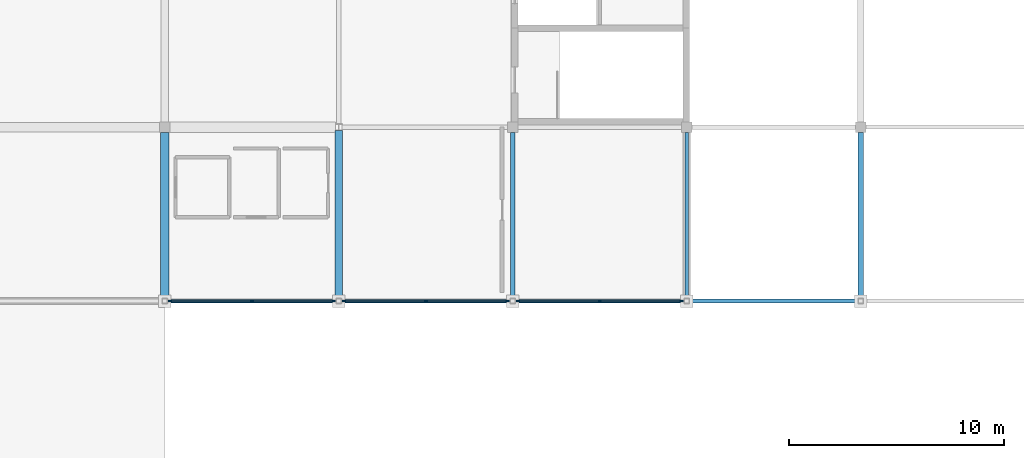
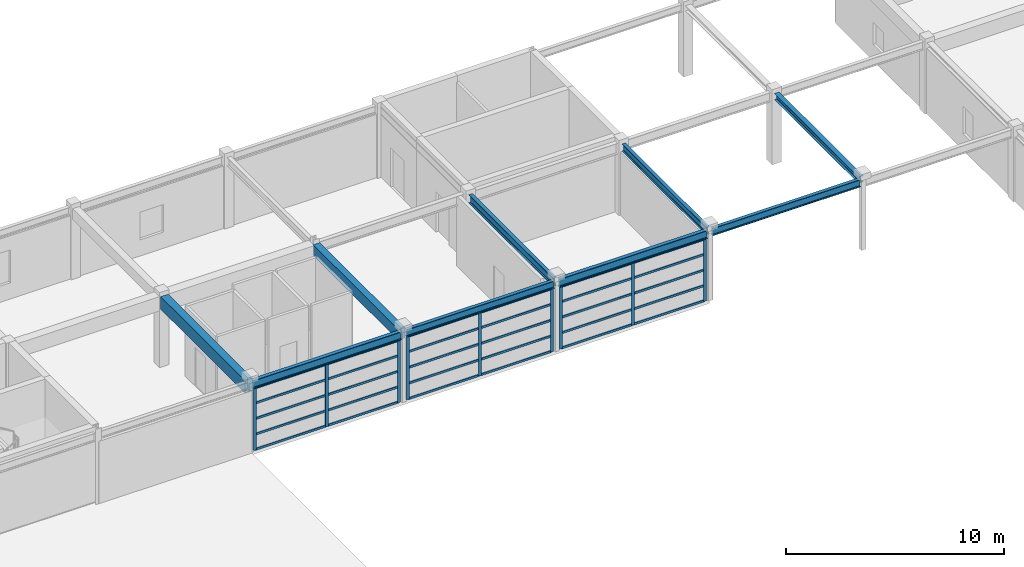
# One storey, part 11 of 26: 39 members, 9 beams, 3 elements without a shape of their own.
"""IFC4 building model written with IfcOpenShell, lengths in metres."""

from ifc_helpers import new_model, si_unit, direction, frame, origin, origin_2d, place, context, subcontext, project, spatial, rectangle, i_section, extrude, material, material_profile, profile_set, type_object, element, aggregate, save


model = new_model("IFC4")

# Units and contexts
model_context = context("Model", 3, precision=1e-05, world=origin(), true_north=direction((0.0, 1.0)))
body_context = subcontext(model_context, "Body", "Model", "MODEL_VIEW")
ifc_project = project(units=[si_unit("LENGTHUNIT", "METRE"), si_unit("AREAUNIT", "SQUARE_METRE"), si_unit("VOLUMEUNIT", "CUBIC_METRE"), si_unit("PLANEANGLEUNIT", "RADIAN"), si_unit("MASSUNIT", "GRAM", prefix="KILO")], contexts=[model_context])

# Site, building, storey
site_placement = place(None, origin())
site = spatial("IfcSite", under=ifc_project, at=site_placement, CompositionType="ELEMENT")
building_placement = place(site_placement, origin())
building = spatial("IfcBuilding", under=site, at=building_placement, Name="Parian Resonance Hall", CompositionType="ELEMENT")
storey_placement = place(building_placement, frame((0.0, 0.0, 19.199951171875)))
storey = spatial("IfcBuildingStorey", under=building, at=storey_placement, Name="L04", CompositionType="ELEMENT", Elevation=19.199951171875)

# Beams
ifc_material_1 = material(Name="Concrete C40/50", Category="concrete")
ifc_material_profile_1 = material_profile(ifc_material_1, rectangle(XDim=0.35009765625, YDim=0.60009765625, at=origin_2d()), Name="RC-BM-350x600")
ifc_profile_set_1 = profile_set([ifc_material_profile_1], Name="Concrete C40/50")
beam_type_1 = type_object("IfcBeamType", Name="BM-RC350x600", PredefinedType="BEAM", material=ifc_profile_set_1)
beam_1_placement = place(storey_placement, frame((81.0, 73.02490234375, 3.66015625), z_axis=(0.0, 1.0, 0.0), x_axis=(-1.0, 0.0, 0.0)))
element("IfcBeam", 1, at=beam_1_placement, inside=storey, type_object=beam_type_1, Name="GY-L04-0980", PredefinedType="BEAM", context=body_context, shape_type="SweptSolid", body=[
    extrude(rectangle(XDim=0.35009765625, YDim=0.60009765625, at=origin_2d()), origin(), (0.0, 0.0, 1.0), 7.821044921875),
])
ifc_material_2 = material(Name="Concrete C40/50", Category="concrete")
ifc_material_profile_2 = material_profile(ifc_material_2, rectangle(XDim=0.39990234375, YDim=0.699951171875, at=origin_2d()), Name="RC-BM-400x700")
ifc_profile_set_2 = profile_set([ifc_material_profile_2], Name="Concrete C40/50")
beam_type_2 = type_object("IfcBeamType", Name="BM-RC400x700", PredefinedType="BEAM", material=ifc_profile_set_2)
beam_2_placement = place(storey_placement, frame((72.89990234375, 73.02490234375, 3.610107421875), z_axis=(0.0, 1.0, 0.0), x_axis=(-1.0, 0.0, 0.0)))
element("IfcBeam", 2, at=beam_2_placement, inside=storey, type_object=beam_type_2, Name="GY-L04-0978", PredefinedType="BEAM", context=body_context, shape_type="SweptSolid", body=[
    extrude(rectangle(XDim=0.39990234375, YDim=0.699951171875, at=origin_2d()), origin(), (0.0, 0.0, 1.0), 7.72509765625),
])
ifc_material_3 = material(Name="Steel S355", Category="steel")
ifc_material_profile_3 = material_profile(ifc_material_3, i_section(OverallWidth=0.2548828125, OverallDepth=0.35693359375, WebThickness=0.010498046875, FlangeThickness=0.018310546875, FilletRadius=0.01513671875, at=origin_2d()), Name="W360x101")
ifc_profile_set_3 = profile_set([ifc_material_profile_3], Name="Steel S355")
beam_type_3 = type_object("IfcBeamType", Name="BM-W360x101", PredefinedType="SPANDREL", material=ifc_profile_set_3)
beam_3_placement = place(storey_placement, frame((105.300048828125, 73.02490234375, 3.781494140625), z_axis=(0.0, 1.0, 0.0), x_axis=(-1.0, 0.0, 0.0)))
element("IfcBeam", 3, at=beam_3_placement, inside=storey, type_object=beam_type_3, Name="GY-L04-0986", PredefinedType="SPANDREL", context=body_context, shape_type="SweptSolid", body=[
    extrude(i_section(OverallWidth=0.2548828125, OverallDepth=0.35693359375, WebThickness=0.010498046875, FlangeThickness=0.018310546875, FilletRadius=0.01513671875, at=origin_2d()), origin(), (0.0, 0.0, 1.0), 7.72509765625),
])
ifc_material_4 = material(Name="Steel S355", Category="steel")
ifc_material_profile_4 = material_profile(ifc_material_4, i_section(OverallWidth=0.180908203125, OverallDepth=0.4169921875, WebThickness=0.010986328125, FlangeThickness=0.018310546875, FilletRadius=0.01513671875, at=origin_2d()), Name="W410x85")
ifc_profile_set_4 = profile_set([ifc_material_profile_4], Name="Steel S355")
beam_type_4 = type_object("IfcBeamType", Name="BM-W410x85", PredefinedType="SPANDREL", material=ifc_profile_set_4)
for number, where, z_axis, x_axis, name in (
    (4, (81.125, 72.89990234375, 3.75146484375), (1.0, 0.0, 0.0), (0.0, 1.0, 0.0), "GX-L04-0932"),
    (5, (97.324951171875, 72.89990234375, 3.75146484375), (1.0, 0.0, 0.0), (0.0, 1.0, 0.0), "GX-L04-0938"),
):
    element("IfcBeam", number, at=place(storey_placement, frame(where, z_axis=z_axis, x_axis=x_axis)), inside=storey, type_object=beam_type_4, Name=name, PredefinedType="SPANDREL", context=body_context, shape_type="SweptSolid", body=[
        extrude(i_section(OverallWidth=0.180908203125, OverallDepth=0.4169921875, WebThickness=0.010986328125, FlangeThickness=0.018310546875, FilletRadius=0.01513671875, at=origin_2d()), origin(), (0.0, 0.0, 1.0), 7.85009765625),
    ])
beam_4_placement = place(storey_placement, frame((97.199951171875, 73.02490234375, 3.75146484375), z_axis=(0.0, 1.0, 0.0), x_axis=(-1.0, 0.0, 0.0)))
element("IfcBeam", 6, at=beam_4_placement, inside=storey, type_object=beam_type_4, Name="GY-L04-0984", PredefinedType="SPANDREL", context=body_context, shape_type="SweptSolid", body=[
    extrude(i_section(OverallWidth=0.180908203125, OverallDepth=0.4169921875, WebThickness=0.010986328125, FlangeThickness=0.018310546875, FilletRadius=0.01513671875, at=origin_2d()), origin(), (0.0, 0.0, 1.0), 7.72509765625),
])
ifc_material_5 = material(Name="Steel S355", Category="steel")
ifc_material_profile_5 = material_profile(ifc_material_5, i_section(OverallWidth=0.194091796875, OverallDepth=0.468994140625, WebThickness=0.0126953125, FlangeThickness=0.0205078125, FilletRadius=0.01513671875, at=origin_2d()), Name="W460x106")
ifc_profile_set_5 = profile_set([ifc_material_profile_5], Name="Steel S355")
beam_type_5 = type_object("IfcBeamType", Name="BM-W460x106", PredefinedType="SPANDREL", material=ifc_profile_set_5)
beam_5_placement = place(storey_placement, frame((73.02490234375, 72.89990234375, 3.7255859375), z_axis=(1.0, 0.0, 0.0), x_axis=(0.0, 1.0, 0.0)))
element("IfcBeam", 7, at=beam_5_placement, inside=storey, type_object=beam_type_5, Name="GX-L04-0929", PredefinedType="SPANDREL", context=body_context, shape_type="SweptSolid", body=[
    extrude(i_section(OverallWidth=0.194091796875, OverallDepth=0.468994140625, WebThickness=0.0126953125, FlangeThickness=0.0205078125, FilletRadius=0.01513671875, at=origin_2d()), origin(), (0.0, 0.0, 1.0), 7.85009765625),
])
beam_6_placement = place(storey_placement, frame((89.22509765625, 72.89990234375, 3.7255859375), z_axis=(1.0, 0.0, 0.0), x_axis=(0.0, 1.0, 0.0)))
element("IfcBeam", 8, at=beam_6_placement, inside=storey, type_object=beam_type_5, Name="GX-L04-0935", PredefinedType="SPANDREL", context=body_context, shape_type="SweptSolid", body=[
    extrude(i_section(OverallWidth=0.194091796875, OverallDepth=0.468994140625, WebThickness=0.0126953125, FlangeThickness=0.0205078125, FilletRadius=0.01513671875, at=origin_2d()), origin(), (0.0, 0.0, 1.0), 7.849853515625),
])
beam_7_placement = place(storey_placement, frame((89.10009765625, 73.02490234375, 3.7255859375), z_axis=(0.0, 1.0, 0.0), x_axis=(-1.0, 0.0, 0.0)))
element("IfcBeam", 9, at=beam_7_placement, inside=storey, type_object=beam_type_5, Name="GY-L04-0982", PredefinedType="SPANDREL", context=body_context, shape_type="SweptSolid", body=[
    extrude(i_section(OverallWidth=0.194091796875, OverallDepth=0.468994140625, WebThickness=0.0126953125, FlangeThickness=0.0205078125, FilletRadius=0.01513671875, at=origin_2d()), origin(), (0.0, 0.0, 1.0), 7.72509765625),
])

# Curtain wall, members
ifc_material_6 = material(Name="Bronze-anodised aluminium frame", Category="aluminium")
curtain_wall_type_1 = type_object("IfcCurtainWallType", Name="CW-SYS-01", PredefinedType="NOTDEFINED", material=ifc_material_6)
curtain_wall_1_placement = place(storey_placement, origin())
curtain_wall_1 = element("IfcCurtainWall", 10, at=curtain_wall_1_placement, inside=storey, type_object=curtain_wall_type_1, Name="Curtain wall CW-L04-109", PredefinedType="NOTDEFINED")
ifc_material_7 = material(Name="Bronze-anodised aluminium frame", Category="aluminium")
ifc_material_profile_6 = material_profile(ifc_material_7, rectangle(XDim=0.06494140625, YDim=0.159912109375, at=origin_2d()), Name="CWM-65x160")
ifc_profile_set_6 = profile_set([ifc_material_profile_6], Name="Bronze-anodised aluminium frame")
member_type_1 = type_object("IfcMemberType", Name="CWM-65x160", PredefinedType="MULLION", material=ifc_profile_set_6)
member_1_placement = place(storey_placement, frame((80.762451171875, 72.89990234375, -0.008056640625), z_axis=(0.0, 0.0, 1.0), x_axis=(0.0, -1.0, 0.0)))
member_1 = element("IfcMember", 11, at=member_1_placement, type_object=member_type_1, Name="CW-01 mullion 1", PredefinedType="MULLION", context=body_context, shape_type="SweptSolid", body=[
    extrude(rectangle(XDim=0.06494140625, YDim=0.159912109375, at=origin_2d()), origin(), (0.0, 0.0, 1.0), 3.503173828125),
])
member_2_placement = place(storey_placement, frame((76.949951171875, 72.89990234375, -0.008056640625), z_axis=(0.0, 0.0, 1.0), x_axis=(0.0, -1.0, 0.0)))
member_2 = element("IfcMember", 12, at=member_2_placement, type_object=member_type_1, Name="CW-01 mullion 2", PredefinedType="MULLION", context=body_context, shape_type="SweptSolid", body=[
    extrude(rectangle(XDim=0.06494140625, YDim=0.159912109375, at=origin_2d()), origin(), (0.0, 0.0, 1.0), 3.503173828125),
])
member_3_placement = place(storey_placement, frame((73.137451171875, 72.89990234375, -0.008056640625), z_axis=(0.0, 0.0, 1.0), x_axis=(0.0, -1.0, 0.0)))
member_3 = element("IfcMember", 13, at=member_3_placement, type_object=member_type_1, Name="CW-01 mullion 3", PredefinedType="MULLION", context=body_context, shape_type="SweptSolid", body=[
    extrude(rectangle(XDim=0.06494140625, YDim=0.159912109375, at=origin_2d()), origin(), (0.0, 0.0, 1.0), 3.503173828125),
])

ifc_material_8 = material(Name="Bronze-anodised aluminium frame", Category="aluminium")
curtain_wall_type_2 = type_object("IfcCurtainWallType", Name="CW-SYS-02", PredefinedType="NOTDEFINED", material=ifc_material_8)
curtain_wall_2_placement = place(storey_placement, origin())
curtain_wall_2 = element("IfcCurtainWall", 14, at=curtain_wall_2_placement, inside=storey, type_object=curtain_wall_type_2, Name="Curtain wall CW-L04-115", PredefinedType="NOTDEFINED")
member_4_placement = place(storey_placement, frame((88.862548828125, 72.89990234375, -0.008056640625), z_axis=(0.0, 0.0, 1.0), x_axis=(0.0, -1.0, 0.0)))
member_4 = element("IfcMember", 15, at=member_4_placement, type_object=member_type_1, Name="CW-02 mullion 1", PredefinedType="MULLION", context=body_context, shape_type="SweptSolid", body=[
    extrude(rectangle(XDim=0.06494140625, YDim=0.159912109375, at=origin_2d()), origin(), (0.0, 0.0, 1.0), 3.55517578125),
])
member_5_placement = place(storey_placement, frame((85.050048828125, 72.89990234375, -0.008056640625), z_axis=(0.0, 0.0, 1.0), x_axis=(0.0, -1.0, 0.0)))
member_5 = element("IfcMember", 16, at=member_5_placement, type_object=member_type_1, Name="CW-02 mullion 2", PredefinedType="MULLION", context=body_context, shape_type="SweptSolid", body=[
    extrude(rectangle(XDim=0.06494140625, YDim=0.159912109375, at=origin_2d()), origin(), (0.0, 0.0, 1.0), 3.55517578125),
])
member_6_placement = place(storey_placement, frame((81.237548828125, 72.89990234375, -0.008056640625), z_axis=(0.0, 0.0, 1.0), x_axis=(0.0, -1.0, 0.0)))
member_6 = element("IfcMember", 17, at=member_6_placement, type_object=member_type_1, Name="CW-02 mullion 3", PredefinedType="MULLION", context=body_context, shape_type="SweptSolid", body=[
    extrude(rectangle(XDim=0.06494140625, YDim=0.159912109375, at=origin_2d()), origin(), (0.0, 0.0, 1.0), 3.55517578125),
])

ifc_material_9 = material(Name="Bronze-anodised aluminium frame", Category="aluminium")
curtain_wall_type_3 = type_object("IfcCurtainWallType", Name="CW-SYS-03", PredefinedType="NOTDEFINED", material=ifc_material_9)
curtain_wall_3_placement = place(storey_placement, origin())
curtain_wall_3 = element("IfcCurtainWall", 18, at=curtain_wall_3_placement, inside=storey, type_object=curtain_wall_type_3, Name="Curtain wall CW-L04-121", PredefinedType="NOTDEFINED")
member_7_placement = place(storey_placement, frame((96.96240234375, 72.89990234375, -0.008056640625), z_axis=(0.0, 0.0, 1.0), x_axis=(0.0, -1.0, 0.0)))
member_7 = element("IfcMember", 19, at=member_7_placement, type_object=member_type_1, Name="CW-03 mullion 1", PredefinedType="MULLION", context=body_context, shape_type="SweptSolid", body=[
    extrude(rectangle(XDim=0.06494140625, YDim=0.159912109375, at=origin_2d()), origin(), (0.0, 0.0, 1.0), 3.503173828125),
])
member_8_placement = place(storey_placement, frame((93.14990234375, 72.89990234375, -0.008056640625), z_axis=(0.0, 0.0, 1.0), x_axis=(0.0, -1.0, 0.0)))
member_8 = element("IfcMember", 20, at=member_8_placement, type_object=member_type_1, Name="CW-03 mullion 2", PredefinedType="MULLION", context=body_context, shape_type="SweptSolid", body=[
    extrude(rectangle(XDim=0.06494140625, YDim=0.159912109375, at=origin_2d()), origin(), (0.0, 0.0, 1.0), 3.503173828125),
])
member_9_placement = place(storey_placement, frame((89.33740234375, 72.89990234375, -0.008056640625), z_axis=(0.0, 0.0, 1.0), x_axis=(0.0, -1.0, 0.0)))
member_9 = element("IfcMember", 21, at=member_9_placement, type_object=member_type_1, Name="CW-03 mullion 3", PredefinedType="MULLION", context=body_context, shape_type="SweptSolid", body=[
    extrude(rectangle(XDim=0.06494140625, YDim=0.159912109375, at=origin_2d()), origin(), (0.0, 0.0, 1.0), 3.503173828125),
])

# Member
ifc_material_10 = material(Name="Bronze-anodised aluminium frame", Category="aluminium")
ifc_material_profile_7 = material_profile(ifc_material_10, rectangle(XDim=0.06494140625, YDim=0.1201171875, at=origin_2d()), Name="CWT-65x120")
ifc_profile_set_7 = profile_set([ifc_material_profile_7], Name="Bronze-anodised aluminium frame")
member_type_2 = type_object("IfcMemberType", Name="CWT-65x120", PredefinedType="USERDEFINED", material=ifc_profile_set_7)
member_10_placement = place(storey_placement, frame((80.72998046875, 72.89990234375, 0.024658203125), z_axis=(-1.0, 0.0, 0.0), x_axis=(0.0, -1.0, 0.0)))
member_10 = element("IfcMember", 22, at=member_10_placement, type_object=member_type_2, Name="CW-01 transom 1.1", ObjectType="TRANSOM", PredefinedType="USERDEFINED", context=body_context, shape_type="SweptSolid", body=[
    extrude(rectangle(XDim=0.06494140625, YDim=0.1201171875, at=origin_2d()), origin(), (0.0, 0.0, 1.0), 3.74755859375),
])

member_11_placement = place(storey_placement, frame((80.72998046875, 72.89990234375, 0.871337890625), z_axis=(-1.0, 0.0, 0.0), x_axis=(0.0, -1.0, 0.0)))
member_11 = element("IfcMember", 23, at=member_11_placement, type_object=member_type_2, Name="CW-01 transom 1.2", ObjectType="TRANSOM", PredefinedType="USERDEFINED", context=body_context, shape_type="SweptSolid", body=[
    extrude(rectangle(XDim=0.06494140625, YDim=0.1201171875, at=origin_2d()), origin(), (0.0, 0.0, 1.0), 3.74755859375),
])

member_12_placement = place(storey_placement, frame((80.72998046875, 72.89990234375, 1.742431640625), z_axis=(-1.0, 0.0, 0.0), x_axis=(0.0, -1.0, 0.0)))
member_12 = element("IfcMember", 24, at=member_12_placement, type_object=member_type_2, Name="CW-01 transom 1.3", ObjectType="TRANSOM", PredefinedType="USERDEFINED", context=body_context, shape_type="SweptSolid", body=[
    extrude(rectangle(XDim=0.06494140625, YDim=0.1201171875, at=origin_2d()), origin(), (0.0, 0.0, 1.0), 3.74755859375),
])

member_13_placement = place(storey_placement, frame((80.72998046875, 72.89990234375, 2.61376953125), z_axis=(-1.0, 0.0, 0.0), x_axis=(0.0, -1.0, 0.0)))
member_13 = element("IfcMember", 25, at=member_13_placement, type_object=member_type_2, Name="CW-01 transom 1.4", ObjectType="TRANSOM", PredefinedType="USERDEFINED", context=body_context, shape_type="SweptSolid", body=[
    extrude(rectangle(XDim=0.06494140625, YDim=0.1201171875, at=origin_2d()), origin(), (0.0, 0.0, 1.0), 3.74755859375),
])

member_14_placement = place(storey_placement, frame((80.72998046875, 72.89990234375, 3.462646484375), z_axis=(-1.0, 0.0, 0.0), x_axis=(0.0, -1.0, 0.0)))
member_14 = element("IfcMember", 26, at=member_14_placement, type_object=member_type_2, Name="CW-01 transom 1.5", ObjectType="TRANSOM", PredefinedType="USERDEFINED", context=body_context, shape_type="SweptSolid", body=[
    extrude(rectangle(XDim=0.06494140625, YDim=0.1201171875, at=origin_2d()), origin(), (0.0, 0.0, 1.0), 3.74755859375),
])

member_15_placement = place(storey_placement, frame((76.91748046875, 72.89990234375, 0.024658203125), z_axis=(-1.0, 0.0, 0.0), x_axis=(0.0, -1.0, 0.0)))
member_15 = element("IfcMember", 27, at=member_15_placement, type_object=member_type_2, Name="CW-01 transom 2.1", ObjectType="TRANSOM", PredefinedType="USERDEFINED", context=body_context, shape_type="SweptSolid", body=[
    extrude(rectangle(XDim=0.06494140625, YDim=0.1201171875, at=origin_2d()), origin(), (0.0, 0.0, 1.0), 3.74755859375),
])

member_16_placement = place(storey_placement, frame((76.91748046875, 72.89990234375, 0.871337890625), z_axis=(-1.0, 0.0, 0.0), x_axis=(0.0, -1.0, 0.0)))
member_16 = element("IfcMember", 28, at=member_16_placement, type_object=member_type_2, Name="CW-01 transom 2.2", ObjectType="TRANSOM", PredefinedType="USERDEFINED", context=body_context, shape_type="SweptSolid", body=[
    extrude(rectangle(XDim=0.06494140625, YDim=0.1201171875, at=origin_2d()), origin(), (0.0, 0.0, 1.0), 3.74755859375),
])

member_17_placement = place(storey_placement, frame((76.91748046875, 72.89990234375, 1.742431640625), z_axis=(-1.0, 0.0, 0.0), x_axis=(0.0, -1.0, 0.0)))
member_17 = element("IfcMember", 29, at=member_17_placement, type_object=member_type_2, Name="CW-01 transom 2.3", ObjectType="TRANSOM", PredefinedType="USERDEFINED", context=body_context, shape_type="SweptSolid", body=[
    extrude(rectangle(XDim=0.06494140625, YDim=0.1201171875, at=origin_2d()), origin(), (0.0, 0.0, 1.0), 3.74755859375),
])

member_18_placement = place(storey_placement, frame((76.91748046875, 72.89990234375, 2.61376953125), z_axis=(-1.0, 0.0, 0.0), x_axis=(0.0, -1.0, 0.0)))
member_18 = element("IfcMember", 30, at=member_18_placement, type_object=member_type_2, Name="CW-01 transom 2.4", ObjectType="TRANSOM", PredefinedType="USERDEFINED", context=body_context, shape_type="SweptSolid", body=[
    extrude(rectangle(XDim=0.06494140625, YDim=0.1201171875, at=origin_2d()), origin(), (0.0, 0.0, 1.0), 3.74755859375),
])

member_19_placement = place(storey_placement, frame((76.91748046875, 72.89990234375, 3.462646484375), z_axis=(-1.0, 0.0, 0.0), x_axis=(0.0, -1.0, 0.0)))
member_19 = element("IfcMember", 31, at=member_19_placement, type_object=member_type_2, Name="CW-01 transom 2.5", ObjectType="TRANSOM", PredefinedType="USERDEFINED", context=body_context, shape_type="SweptSolid", body=[
    extrude(rectangle(XDim=0.06494140625, YDim=0.1201171875, at=origin_2d()), origin(), (0.0, 0.0, 1.0), 3.74755859375),
])

aggregate(curtain_wall_1, [member_1, member_2, member_3, member_10, member_11, member_12, member_13, member_14, member_15, member_16, member_17, member_18, member_19])

member_20_placement = place(storey_placement, frame((88.830078125, 72.89990234375, 0.024658203125), z_axis=(-1.0, 0.0, 0.0), x_axis=(0.0, -1.0, 0.0)))
member_20 = element("IfcMember", 32, at=member_20_placement, type_object=member_type_2, Name="CW-02 transom 1.1", ObjectType="TRANSOM", PredefinedType="USERDEFINED", context=body_context, shape_type="SweptSolid", body=[
    extrude(rectangle(XDim=0.06494140625, YDim=0.1201171875, at=origin_2d()), origin(), (0.0, 0.0, 1.0), 3.74755859375),
])

member_21_placement = place(storey_placement, frame((88.830078125, 72.89990234375, 0.88427734375), z_axis=(-1.0, 0.0, 0.0), x_axis=(0.0, -1.0, 0.0)))
member_21 = element("IfcMember", 33, at=member_21_placement, type_object=member_type_2, Name="CW-02 transom 1.2", ObjectType="TRANSOM", PredefinedType="USERDEFINED", context=body_context, shape_type="SweptSolid", body=[
    extrude(rectangle(XDim=0.06494140625, YDim=0.1201171875, at=origin_2d()), origin(), (0.0, 0.0, 1.0), 3.74755859375),
])

member_22_placement = place(storey_placement, frame((88.830078125, 72.89990234375, 1.7685546875), z_axis=(-1.0, 0.0, 0.0), x_axis=(0.0, -1.0, 0.0)))
member_22 = element("IfcMember", 34, at=member_22_placement, type_object=member_type_2, Name="CW-02 transom 1.3", ObjectType="TRANSOM", PredefinedType="USERDEFINED", context=body_context, shape_type="SweptSolid", body=[
    extrude(rectangle(XDim=0.06494140625, YDim=0.1201171875, at=origin_2d()), origin(), (0.0, 0.0, 1.0), 3.74755859375),
])

member_23_placement = place(storey_placement, frame((88.830078125, 72.89990234375, 2.65283203125), z_axis=(-1.0, 0.0, 0.0), x_axis=(0.0, -1.0, 0.0)))
member_23 = element("IfcMember", 35, at=member_23_placement, type_object=member_type_2, Name="CW-02 transom 1.4", ObjectType="TRANSOM", PredefinedType="USERDEFINED", context=body_context, shape_type="SweptSolid", body=[
    extrude(rectangle(XDim=0.06494140625, YDim=0.1201171875, at=origin_2d()), origin(), (0.0, 0.0, 1.0), 3.74755859375),
])

member_24_placement = place(storey_placement, frame((88.830078125, 72.89990234375, 3.5146484375), z_axis=(-1.0, 0.0, 0.0), x_axis=(0.0, -1.0, 0.0)))
member_24 = element("IfcMember", 36, at=member_24_placement, type_object=member_type_2, Name="CW-02 transom 1.5", ObjectType="TRANSOM", PredefinedType="USERDEFINED", context=body_context, shape_type="SweptSolid", body=[
    extrude(rectangle(XDim=0.06494140625, YDim=0.1201171875, at=origin_2d()), origin(), (0.0, 0.0, 1.0), 3.74755859375),
])

member_25_placement = place(storey_placement, frame((85.017578125, 72.89990234375, 0.024658203125), z_axis=(-1.0, 0.0, 0.0), x_axis=(0.0, -1.0, 0.0)))
member_25 = element("IfcMember", 37, at=member_25_placement, type_object=member_type_2, Name="CW-02 transom 2.1", ObjectType="TRANSOM", PredefinedType="USERDEFINED", context=body_context, shape_type="SweptSolid", body=[
    extrude(rectangle(XDim=0.06494140625, YDim=0.1201171875, at=origin_2d()), origin(), (0.0, 0.0, 1.0), 3.74755859375),
])

member_26_placement = place(storey_placement, frame((85.017578125, 72.89990234375, 0.88427734375), z_axis=(-1.0, 0.0, 0.0), x_axis=(0.0, -1.0, 0.0)))
member_26 = element("IfcMember", 38, at=member_26_placement, type_object=member_type_2, Name="CW-02 transom 2.2", ObjectType="TRANSOM", PredefinedType="USERDEFINED", context=body_context, shape_type="SweptSolid", body=[
    extrude(rectangle(XDim=0.06494140625, YDim=0.1201171875, at=origin_2d()), origin(), (0.0, 0.0, 1.0), 3.74755859375),
])

member_27_placement = place(storey_placement, frame((85.017578125, 72.89990234375, 1.7685546875), z_axis=(-1.0, 0.0, 0.0), x_axis=(0.0, -1.0, 0.0)))
member_27 = element("IfcMember", 39, at=member_27_placement, type_object=member_type_2, Name="CW-02 transom 2.3", ObjectType="TRANSOM", PredefinedType="USERDEFINED", context=body_context, shape_type="SweptSolid", body=[
    extrude(rectangle(XDim=0.06494140625, YDim=0.1201171875, at=origin_2d()), origin(), (0.0, 0.0, 1.0), 3.74755859375),
])

member_28_placement = place(storey_placement, frame((85.017578125, 72.89990234375, 2.65283203125), z_axis=(-1.0, 0.0, 0.0), x_axis=(0.0, -1.0, 0.0)))
member_28 = element("IfcMember", 40, at=member_28_placement, type_object=member_type_2, Name="CW-02 transom 2.4", ObjectType="TRANSOM", PredefinedType="USERDEFINED", context=body_context, shape_type="SweptSolid", body=[
    extrude(rectangle(XDim=0.06494140625, YDim=0.1201171875, at=origin_2d()), origin(), (0.0, 0.0, 1.0), 3.74755859375),
])

member_29_placement = place(storey_placement, frame((85.017578125, 72.89990234375, 3.5146484375), z_axis=(-1.0, 0.0, 0.0), x_axis=(0.0, -1.0, 0.0)))
member_29 = element("IfcMember", 41, at=member_29_placement, type_object=member_type_2, Name="CW-02 transom 2.5", ObjectType="TRANSOM", PredefinedType="USERDEFINED", context=body_context, shape_type="SweptSolid", body=[
    extrude(rectangle(XDim=0.06494140625, YDim=0.1201171875, at=origin_2d()), origin(), (0.0, 0.0, 1.0), 3.74755859375),
])

aggregate(curtain_wall_2, [member_4, member_5, member_6, member_20, member_21, member_22, member_23, member_24, member_25, member_26, member_27, member_28, member_29])

member_30_placement = place(storey_placement, frame((96.929931640625, 72.89990234375, 0.024658203125), z_axis=(-1.0, 0.0, 0.0), x_axis=(0.0, -1.0, 0.0)))
member_30 = element("IfcMember", 42, at=member_30_placement, type_object=member_type_2, Name="CW-03 transom 1.1", ObjectType="TRANSOM", PredefinedType="USERDEFINED", context=body_context, shape_type="SweptSolid", body=[
    extrude(rectangle(XDim=0.06494140625, YDim=0.1201171875, at=origin_2d()), origin(), (0.0, 0.0, 1.0), 3.747314453125),
])

member_31_placement = place(storey_placement, frame((96.929931640625, 72.89990234375, 0.871337890625), z_axis=(-1.0, 0.0, 0.0), x_axis=(0.0, -1.0, 0.0)))
member_31 = element("IfcMember", 43, at=member_31_placement, type_object=member_type_2, Name="CW-03 transom 1.2", ObjectType="TRANSOM", PredefinedType="USERDEFINED", context=body_context, shape_type="SweptSolid", body=[
    extrude(rectangle(XDim=0.06494140625, YDim=0.1201171875, at=origin_2d()), origin(), (0.0, 0.0, 1.0), 3.747314453125),
])

member_32_placement = place(storey_placement, frame((96.929931640625, 72.89990234375, 1.742431640625), z_axis=(-1.0, 0.0, 0.0), x_axis=(0.0, -1.0, 0.0)))
member_32 = element("IfcMember", 44, at=member_32_placement, type_object=member_type_2, Name="CW-03 transom 1.3", ObjectType="TRANSOM", PredefinedType="USERDEFINED", context=body_context, shape_type="SweptSolid", body=[
    extrude(rectangle(XDim=0.06494140625, YDim=0.1201171875, at=origin_2d()), origin(), (0.0, 0.0, 1.0), 3.747314453125),
])

member_33_placement = place(storey_placement, frame((96.929931640625, 72.89990234375, 2.61376953125), z_axis=(-1.0, 0.0, 0.0), x_axis=(0.0, -1.0, 0.0)))
member_33 = element("IfcMember", 45, at=member_33_placement, type_object=member_type_2, Name="CW-03 transom 1.4", ObjectType="TRANSOM", PredefinedType="USERDEFINED", context=body_context, shape_type="SweptSolid", body=[
    extrude(rectangle(XDim=0.06494140625, YDim=0.1201171875, at=origin_2d()), origin(), (0.0, 0.0, 1.0), 3.747314453125),
])

member_34_placement = place(storey_placement, frame((96.929931640625, 72.89990234375, 3.462646484375), z_axis=(-1.0, 0.0, 0.0), x_axis=(0.0, -1.0, 0.0)))
member_34 = element("IfcMember", 46, at=member_34_placement, type_object=member_type_2, Name="CW-03 transom 1.5", ObjectType="TRANSOM", PredefinedType="USERDEFINED", context=body_context, shape_type="SweptSolid", body=[
    extrude(rectangle(XDim=0.06494140625, YDim=0.1201171875, at=origin_2d()), origin(), (0.0, 0.0, 1.0), 3.747314453125),
])

member_35_placement = place(storey_placement, frame((93.117431640625, 72.89990234375, 0.024658203125), z_axis=(-1.0, 0.0, 0.0), x_axis=(0.0, -1.0, 0.0)))
member_35 = element("IfcMember", 47, at=member_35_placement, type_object=member_type_2, Name="CW-03 transom 2.1", ObjectType="TRANSOM", PredefinedType="USERDEFINED", context=body_context, shape_type="SweptSolid", body=[
    extrude(rectangle(XDim=0.06494140625, YDim=0.1201171875, at=origin_2d()), origin(), (0.0, 0.0, 1.0), 3.747314453125),
])

member_36_placement = place(storey_placement, frame((93.117431640625, 72.89990234375, 0.871337890625), z_axis=(-1.0, 0.0, 0.0), x_axis=(0.0, -1.0, 0.0)))
member_36 = element("IfcMember", 48, at=member_36_placement, type_object=member_type_2, Name="CW-03 transom 2.2", ObjectType="TRANSOM", PredefinedType="USERDEFINED", context=body_context, shape_type="SweptSolid", body=[
    extrude(rectangle(XDim=0.06494140625, YDim=0.1201171875, at=origin_2d()), origin(), (0.0, 0.0, 1.0), 3.747314453125),
])

member_37_placement = place(storey_placement, frame((93.117431640625, 72.89990234375, 1.742431640625), z_axis=(-1.0, 0.0, 0.0), x_axis=(0.0, -1.0, 0.0)))
member_37 = element("IfcMember", 49, at=member_37_placement, type_object=member_type_2, Name="CW-03 transom 2.3", ObjectType="TRANSOM", PredefinedType="USERDEFINED", context=body_context, shape_type="SweptSolid", body=[
    extrude(rectangle(XDim=0.06494140625, YDim=0.1201171875, at=origin_2d()), origin(), (0.0, 0.0, 1.0), 3.747314453125),
])

member_38_placement = place(storey_placement, frame((93.117431640625, 72.89990234375, 2.61376953125), z_axis=(-1.0, 0.0, 0.0), x_axis=(0.0, -1.0, 0.0)))
member_38 = element("IfcMember", 50, at=member_38_placement, type_object=member_type_2, Name="CW-03 transom 2.4", ObjectType="TRANSOM", PredefinedType="USERDEFINED", context=body_context, shape_type="SweptSolid", body=[
    extrude(rectangle(XDim=0.06494140625, YDim=0.1201171875, at=origin_2d()), origin(), (0.0, 0.0, 1.0), 3.747314453125),
])

member_39_placement = place(storey_placement, frame((93.117431640625, 72.89990234375, 3.462646484375), z_axis=(-1.0, 0.0, 0.0), x_axis=(0.0, -1.0, 0.0)))
member_39 = element("IfcMember", 51, at=member_39_placement, type_object=member_type_2, Name="CW-03 transom 2.5", ObjectType="TRANSOM", PredefinedType="USERDEFINED", context=body_context, shape_type="SweptSolid", body=[
    extrude(rectangle(XDim=0.06494140625, YDim=0.1201171875, at=origin_2d()), origin(), (0.0, 0.0, 1.0), 3.747314453125),
])

aggregate(curtain_wall_3, [member_7, member_8, member_9, member_30, member_31, member_32, member_33, member_34, member_35, member_36, member_37, member_38, member_39])

save(model, "model.ifc")
